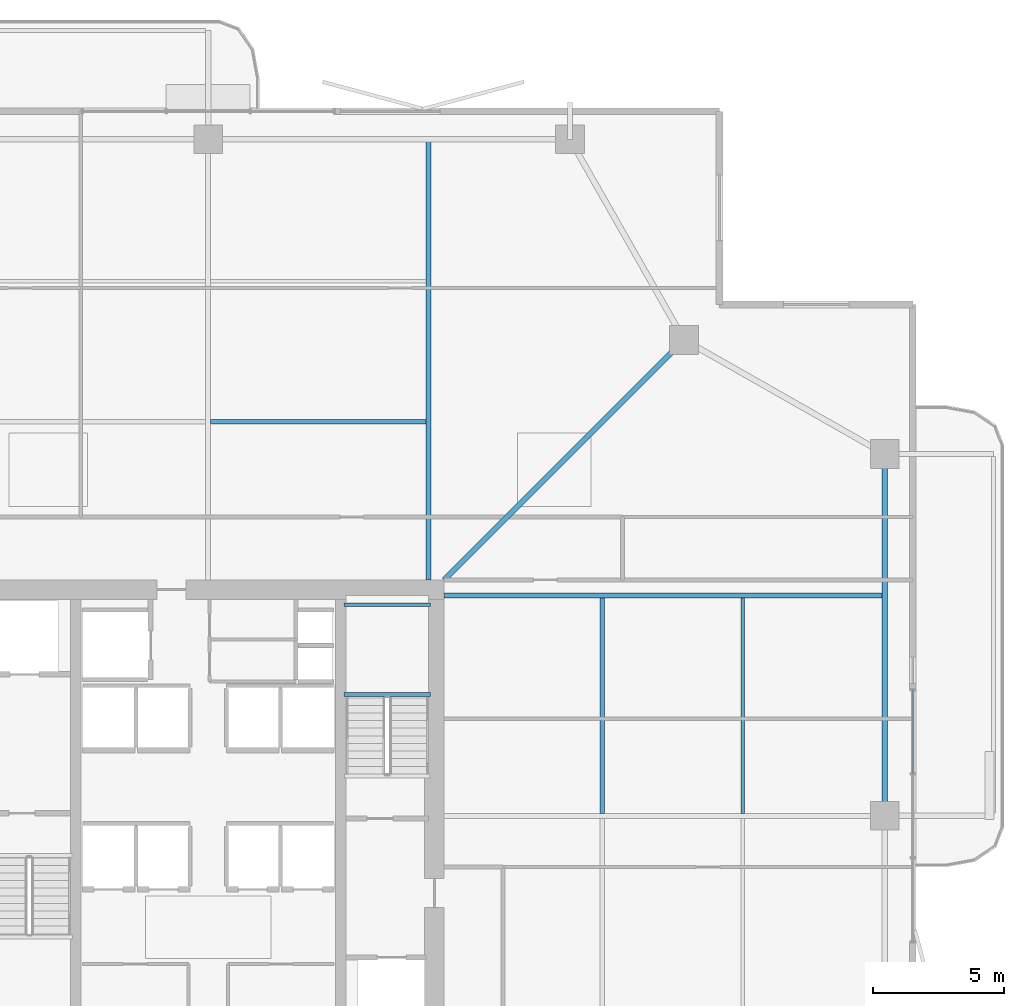
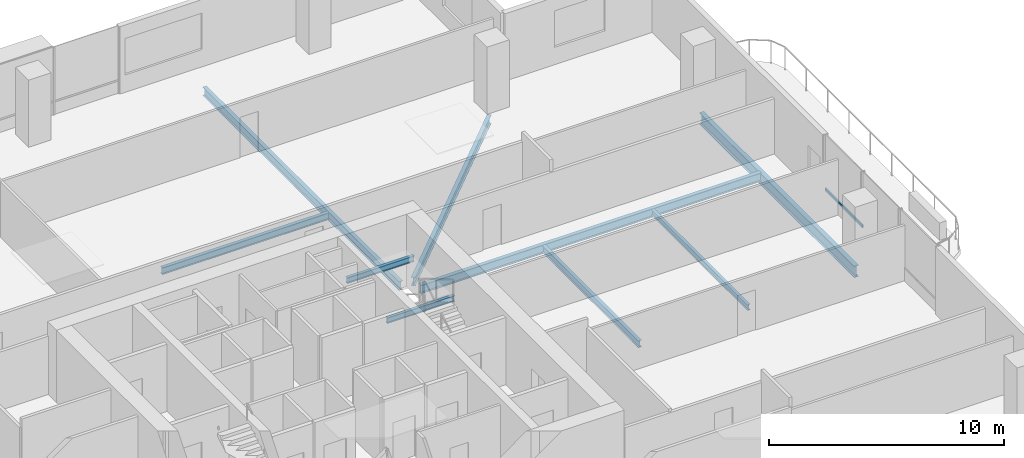
# One storey, part 12 of 24: 9 beams, 1 member, 1 element without a shape of its own.
"""IFC4 building model written with IfcOpenShell, lengths in metres."""

from ifc_helpers import new_model, si_unit, direction, frame, origin, origin_2d, place, context, subcontext, project, spatial, hollow_rectangle, i_section, extrude, material, layer, layer_set, material_profile, profile_set, type_object, element, aggregate, save


model = new_model("IFC4")

# Units and contexts
model_context = context("Model", 3, precision=1e-05, world=origin(), true_north=direction((0.0, 1.0)))
body_context = subcontext(model_context, "Body", "Model", "MODEL_VIEW")
ifc_project = project(units=[si_unit("LENGTHUNIT", "METRE"), si_unit("AREAUNIT", "SQUARE_METRE"), si_unit("VOLUMEUNIT", "CUBIC_METRE"), si_unit("PLANEANGLEUNIT", "RADIAN"), si_unit("MASSUNIT", "GRAM", prefix="KILO")], contexts=[model_context])

# Site, building, storey
site_placement = place(None, origin())
site = spatial("IfcSite", under=ifc_project, at=site_placement, CompositionType="ELEMENT")
building_placement = place(site_placement, origin())
building = spatial("IfcBuilding", under=site, at=building_placement, Name="Belovzor Exchange Tower", CompositionType="ELEMENT")
storey_placement = place(building_placement, frame((0.0, 0.0, 222.449951171875)))
storey = spatial("IfcBuildingStorey", under=building, at=storey_placement, Name="L55", CompositionType="ELEMENT", Elevation=222.449951171875)

# Beams
ifc_material_1 = material(Name="Steel S355", Category="steel")
ifc_material_profile_1 = material_profile(ifc_material_1, i_section(OverallWidth=0.169921875, OverallDepth=0.360107421875, WebThickness=0.008056640625, FlangeThickness=0.0126953125, at=origin_2d()))
ifc_profile_set_1 = profile_set([ifc_material_profile_1], Name="Steel S355")
beam_type_1 = type_object("IfcBeamType", Name="Secondary Infill Floor Joist IPE 360", PredefinedType="BEAM", material=ifc_profile_set_1)
for number, where, z_axis, x_axis, name in (
    (1, (28.89501953125, 43.827880859375, -0.429931640625), (1.0, 0.0, 0.0), (0.0, 1.0, 0.0), "FJ-360 Secondary Infill Floor Joist IPE 360"),
    (2, (43.827880859375, 28.89501953125, -0.429931640625), (0.0, 1.0, 0.0), (-1.0, 0.0, 0.0), "FJ-360 Secondary Infill Floor Joist IPE 360"),
):
    element("IfcBeam", number, at=place(storey_placement, frame(where, z_axis=z_axis, x_axis=x_axis)), inside=storey, type_object=beam_type_1, Name=name, PredefinedType="BEAM", context=body_context, shape_type="SweptSolid", body=[
        extrude(i_section(OverallWidth=0.169921875, OverallDepth=0.360107421875, WebThickness=0.008056640625, FlangeThickness=0.0126953125, at=origin_2d()), origin(), (0.0, 0.0, 1.0), 8.2099609375),
    ])
ifc_material_2 = material(Name="Steel S355", Category="steel")
ifc_material_profile_2 = material_profile(ifc_material_2, i_section(OverallWidth=0.14990234375, OverallDepth=0.300048828125, WebThickness=0.007080078125, FlangeThickness=0.0107421875, at=origin_2d()))
ifc_profile_set_2 = profile_set([ifc_material_profile_2], Name="Steel S355")
beam_type_2 = type_object("IfcBeamType", Name="Secondary Trim Floor Joist IPE 300", PredefinedType="BEAM", material=ifc_profile_set_2)
for number, where, z_axis, x_axis, name in (
    (3, (37.280029296875, 33.419921875, 1.525146484375), (-1.0, 0.0, 0.0), (0.0, -1.0, 0.0), "FJ-300 Secondary Trim Floor Joist IPE 300"),
    (4, (37.280029296875, 36.85009765625, 1.525146484375), (-1.0, 0.0, 0.0), (0.0, -1.0, 0.0), "FJ-300 Secondary Trim Floor Joist IPE 300"),
):
    element("IfcBeam", number, at=place(storey_placement, frame(where, z_axis=z_axis, x_axis=x_axis)), inside=storey, type_object=beam_type_2, Name=name, PredefinedType="BEAM", context=body_context, shape_type="SweptSolid", body=[
        extrude(i_section(OverallWidth=0.14990234375, OverallDepth=0.300048828125, WebThickness=0.007080078125, FlangeThickness=0.0107421875, at=origin_2d()), origin(), (0.0, 0.0, 1.0), 3.31005859375),
    ])
beam_1_placement = place(storey_placement, frame((49.18701171875, 28.89501953125, -0.39990234375), z_axis=(0.0, 1.0, 0.0), x_axis=(-1.0, 0.0, 0.0)))
element("IfcBeam", 5, at=beam_1_placement, inside=storey, type_object=beam_type_2, Name="FJ-300 Secondary Trim Floor Joist IPE 300", PredefinedType="BEAM", context=body_context, shape_type="SweptSolid", body=[
    extrude(i_section(OverallWidth=0.14990234375, OverallDepth=0.300048828125, WebThickness=0.007080078125, FlangeThickness=0.0107421875, at=origin_2d()), origin(), (0.0, 0.0, 1.0), 8.2099609375),
])

# Curtain wall, member
ifc_material_3 = material(Name="Anodised Aluminium Framing", Category="aluminium")
ifc_layer = layer(ifc_material_3, 0.179931640625)
ifc_layer_set = layer_set([ifc_layer], Name="Anodised Aluminium Framing")
curtain_wall_type = type_object("IfcCurtainWallType", Name="Recessed Loggia Low-Iron Triple-Glazed Curtain Wall", PredefinedType="NOTDEFINED", material=ifc_layer_set)
curtain_wall_placement = place(storey_placement, origin())
curtain_wall = element("IfcCurtainWall", 6, at=curtain_wall_placement, inside=storey, type_object=curtain_wall_type, Name="CW3 Recessed Loggia Low-Iron Triple-Glazed Curtain Wall L55", PredefinedType="NOTDEFINED")
ifc_material_4 = material(Name="Steel S355", Category="steel")
ifc_material_profile_3 = material_profile(ifc_material_4, hollow_rectangle(XDim=0.06005859375, YDim=0.14990234375, WallThickness=0.00390625, at=origin_2d()))
ifc_profile_set_3 = profile_set([ifc_material_profile_3], Name="Steel S355")
member_type = type_object("IfcMemberType", Name="Thermally Broken Curtain Wall Transom 150x60", PredefinedType="USERDEFINED", material=ifc_profile_set_3)
member_placement = place(storey_placement, frame((55.669921875, 33.592041015625, 0.630126953125), z_axis=(0.0, -1.0, 0.0), x_axis=(1.0, 0.0, 0.0)))
member = element("IfcMember", 7, at=member_placement, type_object=member_type, Name="CW-T150 Curtain Wall Transom 1", ObjectType="TRANSOM", PredefinedType="USERDEFINED", context=body_context, shape_type="SweptSolid", body=[
    extrude(hollow_rectangle(XDim=0.06005859375, YDim=0.14990234375, WallThickness=0.00390625, at=origin_2d()), origin(), (0.0, 0.0, 1.0), 3.18408203125),
])
aggregate(curtain_wall, [member])

# Beams
ifc_material_5 = material(Name="Steel S355", Category="steel")
ifc_material_profile_4 = material_profile(ifc_material_5, i_section(OverallWidth=0.18994140625, OverallDepth=0.449951171875, WebThickness=0.009521484375, FlangeThickness=0.0146484375, at=origin_2d()))
ifc_profile_set_4 = profile_set([ifc_material_profile_4], Name="Steel S355")
beam_type_3 = type_object("IfcBeamType", Name="Zone 2-4 Radial Composite Floor Beam IPE 450", PredefinedType="BEAM", material=ifc_profile_set_4)
for number, where, z_axis, x_axis, name in (
    (8, (37.199951171875, 37.800048828125, -0.474853515625), (0.0, 1.0, 0.0), (-1.0, 0.0, 0.0), "FB-450 Zone 2-4 Radial Composite Floor Beam IPE 450"),
    (9, (37.800048828125, 37.199951171875, -0.474853515625), (1.0, 0.0, 0.0), (0.0, 1.0, 0.0), "FB-450 Zone 2-4 Radial Composite Floor Beam IPE 450"),
):
    element("IfcBeam", number, at=place(storey_placement, frame(where, z_axis=z_axis, x_axis=x_axis)), inside=storey, type_object=beam_type_3, Name=name, PredefinedType="BEAM", context=body_context, shape_type="SweptSolid", body=[
        extrude(i_section(OverallWidth=0.18994140625, OverallDepth=0.449951171875, WebThickness=0.009521484375, FlangeThickness=0.0146484375, at=origin_2d()), origin(), (0.0, 0.0, 1.0), 16.744873046875),
    ])
beam_2_placement = place(storey_placement, frame((37.800048828125, 37.800048828125, -0.474853515625), z_axis=(0.707106781187, 0.707106781187, 0.0), x_axis=(-0.707106781187, 0.707106781187, 0.0)))
element("IfcBeam", 10, at=beam_2_placement, inside=storey, type_object=beam_type_3, Name="FB-450 Zone 2-4 Radial Composite Floor Beam IPE 450", PredefinedType="BEAM", context=body_context, shape_type="SweptSolid", body=[
    extrude(i_section(OverallWidth=0.18994140625, OverallDepth=0.449951171875, WebThickness=0.009521484375, FlangeThickness=0.0146484375, at=origin_2d()), origin(), (0.0, 0.0, 1.0), 12.551025390625),
])
ifc_material_6 = material(Name="Steel S355", Category="steel")
ifc_material_profile_5 = material_profile(ifc_material_6, i_section(OverallWidth=0.219970703125, OverallDepth=0.60009765625, WebThickness=0.011962890625, FlangeThickness=0.01904296875, at=origin_2d()))
ifc_profile_set_5 = profile_set([ifc_material_profile_5], Name="Steel S355")
beam_type_4 = type_object("IfcBeamType", Name="Zone 4 Flare Primary Girder IPE 600", PredefinedType="BEAM", material=ifc_profile_set_5)
beam_3_placement = place(storey_placement, frame((54.60009765625, 29.10205078125, -0.550048828125), z_axis=(0.0, 1.0, 0.0), x_axis=(-1.0, 0.0, 0.0)))
element("IfcBeam", 11, at=beam_3_placement, inside=storey, type_object=beam_type_4, Name="FG-Z4 Zone 4 Flare Primary Girder IPE 600", PredefinedType="BEAM", context=body_context, shape_type="SweptSolid", body=[
    extrude(i_section(OverallWidth=0.219970703125, OverallDepth=0.60009765625, WebThickness=0.011962890625, FlangeThickness=0.01904296875, at=origin_2d()), origin(), (0.0, 0.0, 1.0), 13.195068359375),
])

save(model, "model.ifc")
